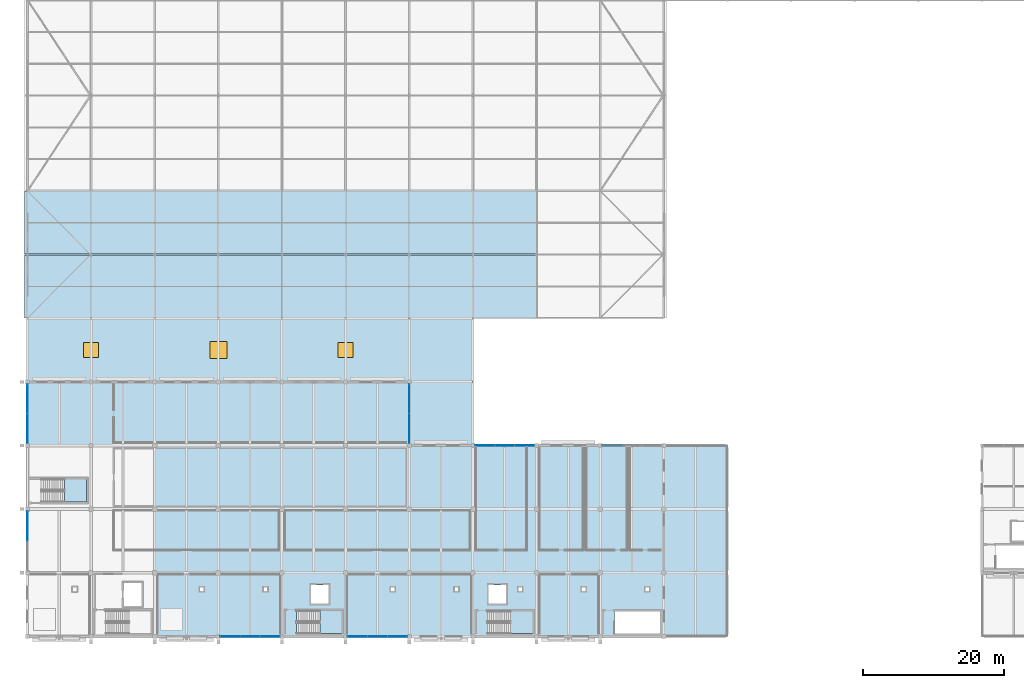
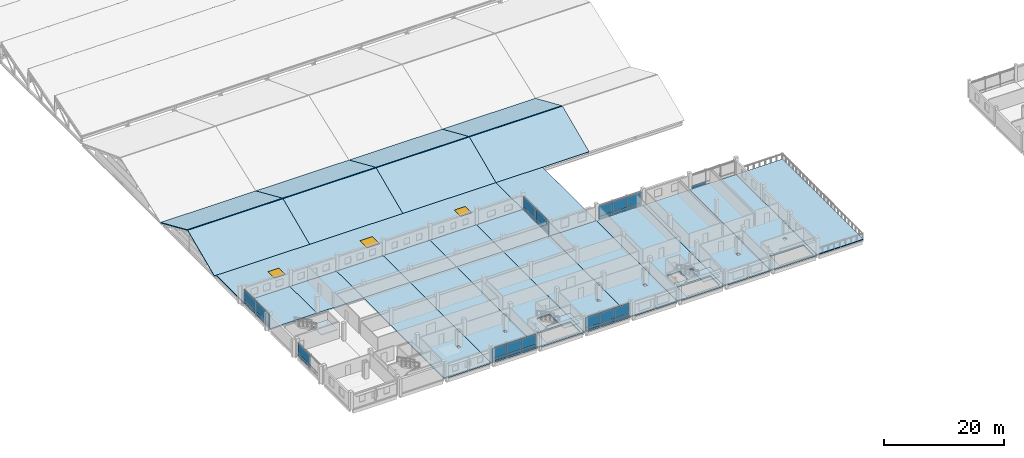
# One storey, part 108 of 163: 29 plates, 28 slabs, 3 windows, 3 openings, 10 elements without a shape of their own.
"""IFC4 building model written with IfcOpenShell, lengths in metres."""

from ifc_helpers import new_model, si_unit, direction, frame, origin, origin_2d, place, context, subcontext, project, spatial, polyline, rectangle, outline, extrude, material, layer, layer_set, type_object, element, fill, aggregate, save


model = new_model("IFC4")

# Units and contexts
model_context = context("Model", 3, precision=1e-05, world=origin(), true_north=direction((0.0, 1.0)))
body_context = subcontext(model_context, "Body", "Model", "MODEL_VIEW")
ifc_project = project(units=[si_unit("LENGTHUNIT", "METRE"), si_unit("AREAUNIT", "SQUARE_METRE"), si_unit("VOLUMEUNIT", "CUBIC_METRE"), si_unit("PLANEANGLEUNIT", "RADIAN"), si_unit("MASSUNIT", "GRAM", prefix="KILO")], contexts=[model_context])

# Site, building, storey
site_placement = place(None, origin())
site = spatial("IfcSite", under=ifc_project, at=site_placement, CompositionType="ELEMENT")
building_placement = place(site_placement, origin())
building = spatial("IfcBuilding", under=site, at=building_placement, Name="Tharagai Park Tramway Depot", CompositionType="ELEMENT")
storey_placement = place(building_placement, frame((0.0, 0.0, 8.39990234375)))
storey = spatial("IfcBuildingStorey", under=building, at=storey_placement, Name="L02", CompositionType="ELEMENT", Elevation=8.39990234375)

# Curtain wall, plates
ifc_material_1 = material(Name="Anodised aluminium", Category="aluminium")
curtain_wall_type_1 = type_object("IfcCurtainWallType", Name="CW-02", PredefinedType="NOTDEFINED", material=ifc_material_1)
curtain_wall_1_placement = place(storey_placement, origin())
curtain_wall_1 = element("IfcCurtainWall", 1, at=curtain_wall_1_placement, inside=storey, type_object=curtain_wall_type_1, Name="L02 V4 Gothic Mullioned Curtain Wall CW-02", PredefinedType="NOTDEFINED")
ifc_layer_1 = layer(ifc_material_1, 0.0400390625)
ifc_layer_set_1 = layer_set([ifc_layer_1], Name="Anodised aluminium")
plate_type_1 = type_object("IfcPlateType", Name="CP-01", PredefinedType="CURTAIN_PANEL", material=ifc_layer_set_1)
plate_1_placement = place(storey_placement, frame((28.693359375, 0.0, 0.080078125), z_axis=(0.0, 0.0, 1.0), x_axis=(1.0, 0.0, 0.0)))
plate_1 = element("IfcPlate", 2, at=plate_1_placement, type_object=plate_type_1, Name="L02 V4 Gothic Mullioned Curtain Wall Spandrel Panel 1.1", PredefinedType="CURTAIN_PANEL", context=body_context, shape_type="SweptSolid", body=[
    extrude(rectangle(XDim=2.78662109375, YDim=0.0400390625, at=origin_2d()), origin(), (0.0, 0.0, 1.0), 0.550048828125),
])
plate_2_placement = place(storey_placement, frame((31.5, 0.0, 0.080078125), z_axis=(0.0, 0.0, 1.0), x_axis=(1.0, 0.0, 0.0)))
plate_2 = element("IfcPlate", 3, at=plate_2_placement, type_object=plate_type_1, Name="L02 V4 Gothic Mullioned Curtain Wall Spandrel Panel 2.1", PredefinedType="CURTAIN_PANEL", context=body_context, shape_type="SweptSolid", body=[
    extrude(rectangle(XDim=2.78662109375, YDim=0.0400390625, at=origin_2d()), origin(), (0.0, 0.0, 1.0), 0.550048828125),
])
plate_3_placement = place(storey_placement, frame((34.306640625, 0.0, 0.080078125), z_axis=(0.0, 0.0, 1.0), x_axis=(1.0, 0.0, 0.0)))
plate_3 = element("IfcPlate", 4, at=plate_3_placement, type_object=plate_type_1, Name="L02 V4 Gothic Mullioned Curtain Wall Spandrel Panel 3.1", PredefinedType="CURTAIN_PANEL", context=body_context, shape_type="SweptSolid", body=[
    extrude(rectangle(XDim=2.78662109375, YDim=0.0400390625, at=origin_2d()), origin(), (0.0, 0.0, 1.0), 0.550048828125),
])

curtain_wall_2_placement = place(storey_placement, origin())
curtain_wall_2 = element("IfcCurtainWall", 5, at=curtain_wall_2_placement, inside=storey, type_object=curtain_wall_type_1, Name="L02 V4 Gothic Mullioned Curtain Wall CW-02", PredefinedType="NOTDEFINED")
plate_4_placement = place(storey_placement, frame((46.693359375, 0.0, 0.080078125), z_axis=(0.0, 0.0, 1.0), x_axis=(1.0, 0.0, 0.0)))
plate_4 = element("IfcPlate", 6, at=plate_4_placement, type_object=plate_type_1, Name="L02 V4 Gothic Mullioned Curtain Wall Spandrel Panel 1.1", PredefinedType="CURTAIN_PANEL", context=body_context, shape_type="SweptSolid", body=[
    extrude(rectangle(XDim=2.78662109375, YDim=0.0400390625, at=origin_2d()), origin(), (0.0, 0.0, 1.0), 0.550048828125),
])
plate_5_placement = place(storey_placement, frame((49.5, 0.0, 0.080078125), z_axis=(0.0, 0.0, 1.0), x_axis=(1.0, 0.0, 0.0)))
plate_5 = element("IfcPlate", 7, at=plate_5_placement, type_object=plate_type_1, Name="L02 V4 Gothic Mullioned Curtain Wall Spandrel Panel 2.1", PredefinedType="CURTAIN_PANEL", context=body_context, shape_type="SweptSolid", body=[
    extrude(rectangle(XDim=2.78662109375, YDim=0.0400390625, at=origin_2d()), origin(), (0.0, 0.0, 1.0), 0.550048828125),
])
plate_6_placement = place(storey_placement, frame((52.306640625, 0.0, 0.080078125), z_axis=(0.0, 0.0, 1.0), x_axis=(1.0, 0.0, 0.0)))
plate_6 = element("IfcPlate", 8, at=plate_6_placement, type_object=plate_type_1, Name="L02 V4 Gothic Mullioned Curtain Wall Spandrel Panel 3.1", PredefinedType="CURTAIN_PANEL", context=body_context, shape_type="SweptSolid", body=[
    extrude(rectangle(XDim=2.78662109375, YDim=0.0400390625, at=origin_2d()), origin(), (0.0, 0.0, 1.0), 0.550048828125),
])

curtain_wall_3_placement = place(storey_placement, origin())
curtain_wall_3 = element("IfcCurtainWall", 9, at=curtain_wall_3_placement, inside=storey, type_object=curtain_wall_type_1, Name="L02 V4 Gothic Mullioned Curtain Wall CW-02", PredefinedType="NOTDEFINED")
plate_7_placement = place(storey_placement, frame((64.693359375, 27.0, 0.080078125), z_axis=(0.0, 0.0, 1.0), x_axis=(1.0, 0.0, 0.0)))
plate_7 = element("IfcPlate", 10, at=plate_7_placement, type_object=plate_type_1, Name="L02 V4 Gothic Mullioned Curtain Wall Spandrel Panel 1.1", PredefinedType="CURTAIN_PANEL", context=body_context, shape_type="SweptSolid", body=[
    extrude(rectangle(XDim=2.78662109375, YDim=0.0400390625, at=origin_2d()), origin(), (0.0, 0.0, 1.0), 0.550048828125),
])
plate_8_placement = place(storey_placement, frame((67.5, 27.0, 0.080078125), z_axis=(0.0, 0.0, 1.0), x_axis=(1.0, 0.0, 0.0)))
plate_8 = element("IfcPlate", 11, at=plate_8_placement, type_object=plate_type_1, Name="L02 V4 Gothic Mullioned Curtain Wall Spandrel Panel 2.1", PredefinedType="CURTAIN_PANEL", context=body_context, shape_type="SweptSolid", body=[
    extrude(rectangle(XDim=2.78662109375, YDim=0.0400390625, at=origin_2d()), origin(), (0.0, 0.0, 1.0), 0.550048828125),
])
plate_9_placement = place(storey_placement, frame((70.306640625, 27.0, 0.080078125), z_axis=(0.0, 0.0, 1.0), x_axis=(1.0, 0.0, 0.0)))
plate_9 = element("IfcPlate", 12, at=plate_9_placement, type_object=plate_type_1, Name="L02 V4 Gothic Mullioned Curtain Wall Spandrel Panel 3.1", PredefinedType="CURTAIN_PANEL", context=body_context, shape_type="SweptSolid", body=[
    extrude(rectangle(XDim=2.78662109375, YDim=0.0400390625, at=origin_2d()), origin(), (0.0, 0.0, 1.0), 0.550048828125),
])

# Curtain wall, plate
curtain_wall_4_placement = place(storey_placement, origin())
curtain_wall_4 = element("IfcCurtainWall", 13, at=curtain_wall_4_placement, inside=storey, type_object=curtain_wall_type_1, Name="L02 V4 Gothic Mullioned Curtain Wall CW-02", PredefinedType="NOTDEFINED")
plate_10_placement = place(storey_placement, frame((82.693359375, 27.0, 0.080078125), z_axis=(0.0, 0.0, 1.0), x_axis=(1.0, 0.0, 0.0)))
plate_10 = element("IfcPlate", 14, at=plate_10_placement, type_object=plate_type_1, Name="L02 V4 Gothic Mullioned Curtain Wall Spandrel Panel 1.1", PredefinedType="CURTAIN_PANEL", context=body_context, shape_type="SweptSolid", body=[
    extrude(rectangle(XDim=2.78662109375, YDim=0.0400390625, at=origin_2d()), origin(), (0.0, 0.0, 1.0), 0.550048828125),
])
aggregate(curtain_wall_4, [plate_10])

curtain_wall_type_2 = type_object("IfcCurtainWallType", Name="CW-07", PredefinedType="NOTDEFINED", material=ifc_material_1)
curtain_wall_5_placement = place(storey_placement, origin())
curtain_wall_5 = element("IfcCurtainWall", 15, at=curtain_wall_5_placement, inside=storey, type_object=curtain_wall_type_2, Name="L02 V4 Side Mullioned Curtain Wall CW-07", PredefinedType="NOTDEFINED")
plate_11_placement = place(storey_placement, frame((0.0, 15.60498046875, 0.080078125), z_axis=(0.0, 0.0, 1.0), x_axis=(0.0, 1.0, 0.0)))
plate_11 = element("IfcPlate", 16, at=plate_11_placement, type_object=plate_type_1, Name="L02 V4 Side Mullioned Curtain Wall Spandrel Panel 2.1", PredefinedType="CURTAIN_PANEL", context=body_context, shape_type="SweptSolid", body=[
    extrude(rectangle(XDim=4.18994140625, YDim=0.0400390625, at=origin_2d()), origin(), (0.0, 0.0, 1.0), 0.550048828125),
])

# Curtain wall, plates
curtain_wall_6_placement = place(storey_placement, origin())
curtain_wall_6 = element("IfcCurtainWall", 17, at=curtain_wall_6_placement, inside=storey, type_object=curtain_wall_type_2, Name="L02 V4 Side Mullioned Curtain Wall CW-07", PredefinedType="NOTDEFINED")
plate_12_placement = place(storey_placement, frame((0.0, 29.39501953125, 0.080078125), z_axis=(0.0, 0.0, 1.0), x_axis=(0.0, 1.0, 0.0)))
plate_12 = element("IfcPlate", 18, at=plate_12_placement, type_object=plate_type_1, Name="L02 V4 Side Mullioned Curtain Wall Spandrel Panel 1.1", PredefinedType="CURTAIN_PANEL", context=body_context, shape_type="SweptSolid", body=[
    extrude(rectangle(XDim=4.18994140625, YDim=0.0400390625, at=origin_2d()), origin(), (0.0, 0.0, 1.0), 0.550048828125),
])
plate_13_placement = place(storey_placement, frame((0.0, 33.60498046875, 0.080078125), z_axis=(0.0, 0.0, 1.0), x_axis=(0.0, 1.0, 0.0)))
plate_13 = element("IfcPlate", 19, at=plate_13_placement, type_object=plate_type_1, Name="L02 V4 Side Mullioned Curtain Wall Spandrel Panel 2.1", PredefinedType="CURTAIN_PANEL", context=body_context, shape_type="SweptSolid", body=[
    extrude(rectangle(XDim=4.18994140625, YDim=0.0400390625, at=origin_2d()), origin(), (0.0, 0.0, 1.0), 0.550048828125),
])

curtain_wall_7_placement = place(storey_placement, origin())
curtain_wall_7 = element("IfcCurtainWall", 20, at=curtain_wall_7_placement, inside=storey, type_object=curtain_wall_type_2, Name="L02 V4 Side Mullioned Curtain Wall CW-07", PredefinedType="NOTDEFINED")
plate_14_placement = place(storey_placement, frame((54.0, 29.39501953125, 0.080078125), z_axis=(0.0, 0.0, 1.0), x_axis=(0.0, 1.0, 0.0)))
plate_14 = element("IfcPlate", 21, at=plate_14_placement, type_object=plate_type_1, Name="L02 V4 Side Mullioned Curtain Wall Spandrel Panel 1.1", PredefinedType="CURTAIN_PANEL", context=body_context, shape_type="SweptSolid", body=[
    extrude(rectangle(XDim=4.18994140625, YDim=0.0400390625, at=origin_2d()), origin(), (0.0, 0.0, 1.0), 0.550048828125),
])
plate_15_placement = place(storey_placement, frame((54.0, 33.60498046875, 0.080078125), z_axis=(0.0, 0.0, 1.0), x_axis=(0.0, 1.0, 0.0)))
plate_15 = element("IfcPlate", 22, at=plate_15_placement, type_object=plate_type_1, Name="L02 V4 Side Mullioned Curtain Wall Spandrel Panel 2.1", PredefinedType="CURTAIN_PANEL", context=body_context, shape_type="SweptSolid", body=[
    extrude(rectangle(XDim=4.18994140625, YDim=0.0400390625, at=origin_2d()), origin(), (0.0, 0.0, 1.0), 0.550048828125),
])

# Plate
ifc_material_2 = material(Name="Laminated solar-control glass", Category="glass")
ifc_layer_2 = layer(ifc_material_2, 0.028076171875)
ifc_layer_set_2 = layer_set([ifc_layer_2], Name="Laminated solar-control glass")
plate_type_2 = type_object("IfcPlateType", Name="CP-02", PredefinedType="CURTAIN_PANEL", material=ifc_layer_set_2)
plate_16_placement = place(storey_placement, frame((28.693359375, 0.0, 0.670166015625), z_axis=(0.0, 0.0, 1.0), x_axis=(1.0, 0.0, 0.0)))
plate_16 = element("IfcPlate", 23, at=plate_16_placement, type_object=plate_type_2, Name="L02 V4 Gothic Mullioned Curtain Wall Glazed Panel 1.2", PredefinedType="CURTAIN_PANEL", context=body_context, shape_type="SweptSolid", body=[
    extrude(rectangle(XDim=2.78662109375, YDim=0.028076171875, at=origin_2d()), origin(), (0.0, 0.0, 1.0), 2.10009765625),
])

plate_17_placement = place(storey_placement, frame((31.5, 0.0, 0.670166015625), z_axis=(0.0, 0.0, 1.0), x_axis=(1.0, 0.0, 0.0)))
plate_17 = element("IfcPlate", 24, at=plate_17_placement, type_object=plate_type_2, Name="L02 V4 Gothic Mullioned Curtain Wall Glazed Panel 2.2", PredefinedType="CURTAIN_PANEL", context=body_context, shape_type="SweptSolid", body=[
    extrude(rectangle(XDim=2.78662109375, YDim=0.028076171875, at=origin_2d()), origin(), (0.0, 0.0, 1.0), 2.10009765625),
])

plate_18_placement = place(storey_placement, frame((34.306640625, 0.0, 0.670166015625), z_axis=(0.0, 0.0, 1.0), x_axis=(1.0, 0.0, 0.0)))
plate_18 = element("IfcPlate", 25, at=plate_18_placement, type_object=plate_type_2, Name="L02 V4 Gothic Mullioned Curtain Wall Glazed Panel 3.2", PredefinedType="CURTAIN_PANEL", context=body_context, shape_type="SweptSolid", body=[
    extrude(rectangle(XDim=2.78662109375, YDim=0.028076171875, at=origin_2d()), origin(), (0.0, 0.0, 1.0), 2.10009765625),
])

aggregate(curtain_wall_1, [plate_1, plate_16, plate_2, plate_17, plate_3, plate_18])

plate_19_placement = place(storey_placement, frame((46.693359375, 0.0, 0.670166015625), z_axis=(0.0, 0.0, 1.0), x_axis=(1.0, 0.0, 0.0)))
plate_19 = element("IfcPlate", 26, at=plate_19_placement, type_object=plate_type_2, Name="L02 V4 Gothic Mullioned Curtain Wall Glazed Panel 1.2", PredefinedType="CURTAIN_PANEL", context=body_context, shape_type="SweptSolid", body=[
    extrude(rectangle(XDim=2.78662109375, YDim=0.028076171875, at=origin_2d()), origin(), (0.0, 0.0, 1.0), 2.10009765625),
])

plate_20_placement = place(storey_placement, frame((49.5, 0.0, 0.670166015625), z_axis=(0.0, 0.0, 1.0), x_axis=(1.0, 0.0, 0.0)))
plate_20 = element("IfcPlate", 27, at=plate_20_placement, type_object=plate_type_2, Name="L02 V4 Gothic Mullioned Curtain Wall Glazed Panel 2.2", PredefinedType="CURTAIN_PANEL", context=body_context, shape_type="SweptSolid", body=[
    extrude(rectangle(XDim=2.78662109375, YDim=0.028076171875, at=origin_2d()), origin(), (0.0, 0.0, 1.0), 2.10009765625),
])

plate_21_placement = place(storey_placement, frame((52.306640625, 0.0, 0.670166015625), z_axis=(0.0, 0.0, 1.0), x_axis=(1.0, 0.0, 0.0)))
plate_21 = element("IfcPlate", 28, at=plate_21_placement, type_object=plate_type_2, Name="L02 V4 Gothic Mullioned Curtain Wall Glazed Panel 3.2", PredefinedType="CURTAIN_PANEL", context=body_context, shape_type="SweptSolid", body=[
    extrude(rectangle(XDim=2.78662109375, YDim=0.028076171875, at=origin_2d()), origin(), (0.0, 0.0, 1.0), 2.10009765625),
])

aggregate(curtain_wall_2, [plate_4, plate_19, plate_5, plate_20, plate_6, plate_21])

plate_22_placement = place(storey_placement, frame((64.693359375, 27.0, 0.669921875), z_axis=(0.0, 0.0, 1.0), x_axis=(1.0, 0.0, 0.0)))
plate_22 = element("IfcPlate", 29, at=plate_22_placement, type_object=plate_type_2, Name="L02 V4 Gothic Mullioned Curtain Wall Glazed Panel 1.2", PredefinedType="CURTAIN_PANEL", context=body_context, shape_type="SweptSolid", body=[
    extrude(rectangle(XDim=2.78662109375, YDim=0.028076171875, at=origin_2d()), origin(), (0.0, 0.0, 1.0), 2.139892578125),
])

plate_23_placement = place(storey_placement, frame((67.5, 27.0, 0.669921875), z_axis=(0.0, 0.0, 1.0), x_axis=(1.0, 0.0, 0.0)))
plate_23 = element("IfcPlate", 30, at=plate_23_placement, type_object=plate_type_2, Name="L02 V4 Gothic Mullioned Curtain Wall Glazed Panel 2.2", PredefinedType="CURTAIN_PANEL", context=body_context, shape_type="SweptSolid", body=[
    extrude(rectangle(XDim=2.78662109375, YDim=0.028076171875, at=origin_2d()), origin(), (0.0, 0.0, 1.0), 2.139892578125),
])

plate_24_placement = place(storey_placement, frame((70.306640625, 27.0, 0.669921875), z_axis=(0.0, 0.0, 1.0), x_axis=(1.0, 0.0, 0.0)))
plate_24 = element("IfcPlate", 31, at=plate_24_placement, type_object=plate_type_2, Name="L02 V4 Gothic Mullioned Curtain Wall Glazed Panel 3.2", PredefinedType="CURTAIN_PANEL", context=body_context, shape_type="SweptSolid", body=[
    extrude(rectangle(XDim=2.78662109375, YDim=0.028076171875, at=origin_2d()), origin(), (0.0, 0.0, 1.0), 2.139892578125),
])

aggregate(curtain_wall_3, [plate_7, plate_22, plate_8, plate_23, plate_9, plate_24])

plate_25_placement = place(storey_placement, frame((0.0, 15.60498046875, 0.670166015625), z_axis=(0.0, 0.0, 1.0), x_axis=(0.0, 1.0, 0.0)))
plate_25 = element("IfcPlate", 32, at=plate_25_placement, type_object=plate_type_2, Name="L02 V4 Side Mullioned Curtain Wall Glazed Panel 2.2", PredefinedType="CURTAIN_PANEL", context=body_context, shape_type="SweptSolid", body=[
    extrude(rectangle(XDim=4.18994140625, YDim=0.028076171875, at=origin_2d()), origin(), (0.0, 0.0, 1.0), 2.080078125),
])

aggregate(curtain_wall_5, [plate_11, plate_25])

plate_26_placement = place(storey_placement, frame((0.0, 29.39501953125, 0.670166015625), z_axis=(0.0, 0.0, 1.0), x_axis=(0.0, 1.0, 0.0)))
plate_26 = element("IfcPlate", 33, at=plate_26_placement, type_object=plate_type_2, Name="L02 V4 Side Mullioned Curtain Wall Glazed Panel 1.2", PredefinedType="CURTAIN_PANEL", context=body_context, shape_type="SweptSolid", body=[
    extrude(rectangle(XDim=4.18994140625, YDim=0.028076171875, at=origin_2d()), origin(), (0.0, 0.0, 1.0), 2.080078125),
])

plate_27_placement = place(storey_placement, frame((0.0, 33.60498046875, 0.670166015625), z_axis=(0.0, 0.0, 1.0), x_axis=(0.0, 1.0, 0.0)))
plate_27 = element("IfcPlate", 34, at=plate_27_placement, type_object=plate_type_2, Name="L02 V4 Side Mullioned Curtain Wall Glazed Panel 2.2", PredefinedType="CURTAIN_PANEL", context=body_context, shape_type="SweptSolid", body=[
    extrude(rectangle(XDim=4.18994140625, YDim=0.028076171875, at=origin_2d()), origin(), (0.0, 0.0, 1.0), 2.080078125),
])

aggregate(curtain_wall_6, [plate_12, plate_26, plate_13, plate_27])

plate_28_placement = place(storey_placement, frame((54.0, 29.39501953125, 0.669921875), z_axis=(0.0, 0.0, 1.0), x_axis=(0.0, 1.0, 0.0)))
plate_28 = element("IfcPlate", 35, at=plate_28_placement, type_object=plate_type_2, Name="L02 V4 Side Mullioned Curtain Wall Glazed Panel 1.2", PredefinedType="CURTAIN_PANEL", context=body_context, shape_type="SweptSolid", body=[
    extrude(rectangle(XDim=4.18994140625, YDim=0.028076171875, at=origin_2d()), origin(), (0.0, 0.0, 1.0), 2.139892578125),
])

plate_29_placement = place(storey_placement, frame((54.0, 33.60498046875, 0.669921875), z_axis=(0.0, 0.0, 1.0), x_axis=(0.0, 1.0, 0.0)))
plate_29 = element("IfcPlate", 36, at=plate_29_placement, type_object=plate_type_2, Name="L02 V4 Side Mullioned Curtain Wall Glazed Panel 2.2", PredefinedType="CURTAIN_PANEL", context=body_context, shape_type="SweptSolid", body=[
    extrude(rectangle(XDim=4.18994140625, YDim=0.028076171875, at=origin_2d()), origin(), (0.0, 0.0, 1.0), 2.139892578125),
])

aggregate(curtain_wall_7, [plate_14, plate_28, plate_15, plate_29])

# Stair, slab
ifc_material_3 = material(Name="Concrete M35", Category="concrete")
stair_type = type_object("IfcStairType", Name="STT-02", PredefinedType="HALF_TURN_STAIR", material=ifc_material_3)
stair_1_placement = place(storey_placement, origin())
stair_1 = element("IfcStair", 37, at=stair_1_placement, inside=storey, type_object=stair_type, Name="L02 Protected Exit Stair ST-02", PredefinedType="HALF_TURN_STAIR")
ifc_layer_3 = layer(ifc_material_3, 0.199951171875)
ifc_layer_set_3 = layer_set([ifc_layer_3], Name="Concrete M35")
slab_type_1 = type_object("IfcSlabType", Name="LN-01", PredefinedType="LANDING", material=ifc_layer_set_3)
slab_1_placement = place(storey_placement, frame((0.0, 0.0, 1.60009765625)))
slab_1 = element("IfcSlab", 38, at=slab_1_placement, type_object=slab_type_1, Name="ST-02 landing 1", PredefinedType="LANDING", context=body_context, shape_type="SweptSolid", body=[
    extrude(outline(polyline([(41.3701171875, 0.39990234375), (44.47998046875, 0.39990234375), (44.47998046875, 3.64990234375), (41.3701171875, 3.64990234375), (41.3701171875, 0.39990234375)])), origin(), (0.0, 0.0, 1.0), 0.199951171875),
])
aggregate(stair_1, [slab_1])

stair_2_placement = place(storey_placement, origin())
stair_2 = element("IfcStair", 39, at=stair_2_placement, inside=storey, type_object=stair_type, Name="L02 Protected Exit Stair ST-03", PredefinedType="HALF_TURN_STAIR")
slab_2_placement = place(storey_placement, frame((0.0, 0.0, 1.60009765625)))
slab_2 = element("IfcSlab", 40, at=slab_2_placement, type_object=slab_type_1, Name="ST-03 landing 1", PredefinedType="LANDING", context=body_context, shape_type="SweptSolid", body=[
    extrude(outline(polyline([(5.25, 19.0), (8.360107421875, 19.0), (8.360107421875, 22.25), (5.25, 22.25), (5.25, 19.0)])), origin(), (0.0, 0.0, 1.0), 0.199951171875),
])
aggregate(stair_2, [slab_2])

stair_3_placement = place(storey_placement, origin())
stair_3 = element("IfcStair", 41, at=stair_3_placement, inside=storey, type_object=stair_type, Name="L02 Protected Exit Stair ST-04", PredefinedType="HALF_TURN_STAIR")
slab_3_placement = place(storey_placement, frame((0.0, 0.0, 1.60009765625)))
slab_3 = element("IfcSlab", 42, at=slab_3_placement, type_object=slab_type_1, Name="ST-04 landing 1", PredefinedType="LANDING", context=body_context, shape_type="SweptSolid", body=[
    extrude(outline(polyline([(68.340087890625, 0.39990234375), (71.47998046875, 0.39990234375), (71.47998046875, 3.590087890625), (68.340087890625, 3.590087890625), (68.340087890625, 0.39990234375)])), origin(), (0.0, 0.0, 1.0), 0.199951171875),
])
aggregate(stair_3, [slab_3])

# Slabs
ifc_layer_4 = layer(ifc_material_3, 0.169921875)
ifc_layer_set_4 = layer_set([ifc_layer_4], Name="Concrete M35")
slab_type_2 = type_object("IfcSlabType", Name="RS-02", PredefinedType="ROOF", material=ifc_layer_set_4)
for number, where, z_axis, x_axis, name in (
    (43, (-0.39990234375, 45.0, 0.0), (0.0, -0.402133189266, 0.915581180503), (1.0, 0.0, 0.0), "V2A South Pitched Roof Slab 1"),
    (44, (18.0, 63.0, 0.0), (0.0, 0.402133189266, 0.915581180503), (-1.0, 0.0, 0.0), "V2A North Pitched Roof Slab 1"),
):
    element("IfcSlab", number, at=place(storey_placement, frame(where, z_axis=z_axis, x_axis=x_axis)), inside=storey, type_object=slab_type_2, Name=name, PredefinedType="ROOF", context=body_context, shape_type="SweptSolid", body=[
        extrude(outline(polyline([(0.0, 0.0), (18.39990234375, 0.0), (18.39990234375, 9.731427752244018), (0.0, 9.731427752244018), (0.0, 0.0)])), origin(), (0.0, 0.0, -1.0), 0.169921875),
    ])
for number, where, z_axis, x_axis, name in (
    (45, (18.0, 45.0, 0.0), (0.0, -0.402133189266, 0.915581180503), (1.0, 0.0, 0.0), "V2A South Pitched Roof Slab 2"),
    (46, (36.0, 63.0, 0.0), (0.0, 0.402133189266, 0.915581180503), (-1.0, 0.0, 0.0), "V2A North Pitched Roof Slab 2"),
    (47, (36.0, 45.0, 0.0), (0.0, -0.402133189266, 0.915581180503), (1.0, 0.0, 0.0), "V2A South Pitched Roof Slab 3"),
    (48, (54.0, 63.0, 0.0), (0.0, 0.402133189266, 0.915581180503), (-1.0, 0.0, 0.0), "V2A North Pitched Roof Slab 3"),
    (49, (54.0, 45.0, 0.0), (0.0, -0.402133189266, 0.915581180503), (1.0, 0.0, 0.0), "V2A South Pitched Roof Slab 4"),
    (50, (72.0, 63.0, 0.0), (0.0, 0.402133189266, 0.915581180503), (-1.0, 0.0, 0.0), "V2A North Pitched Roof Slab 4"),
):
    element("IfcSlab", number, at=place(storey_placement, frame(where, z_axis=z_axis, x_axis=x_axis)), inside=storey, type_object=slab_type_2, Name=name, PredefinedType="ROOF", context=body_context, shape_type="SweptSolid", body=[
        extrude(outline(polyline([(0.0, 0.0), (18.0, 0.0), (18.0, 9.731427752244018), (0.0, 9.731427752244018), (0.0, 0.0)])), origin(), (0.0, 0.0, -1.0), 0.169921875),
    ])

# Slab, openings, windows
ifc_layer_5 = layer(ifc_material_3, 0.239990234375)
ifc_layer_set_5 = layer_set([ifc_layer_5], Name="Concrete M35")
slab_type_3 = type_object("IfcSlabType", Name="RS-03", PredefinedType="ROOF", material=ifc_layer_set_5)
slab_4_placement = place(storey_placement, frame((0.0, 0.0, -0.239990234375)))
slab_4 = element("IfcSlab", 51, at=slab_4_placement, inside=storey, type_object=slab_type_3, Name="L02 V4 Flat Roof Slab", PredefinedType="ROOF", context=body_context, shape_type="SweptSolid", body=[
    extrude(outline(polyline([(0.0, 36.0), (54.0, 36.0), (54.0, 45.0), (0.0, 45.0), (0.0, 36.0)])), origin(), (0.0, 0.0, 1.0), 0.239990234375),
])
opening_1_placement = place(slab_4_placement, frame((9.0, 40.5, -0.010009765625)))
opening_1 = element("IfcOpeningElement", 52, at=opening_1_placement, cuts=slab_4, Name="Opening SK-01", PredefinedType="OPENING", context=body_context, shape_type="SweptSolid", body=[
    extrude(rectangle(XDim=2.10009765625, YDim=2.10009765625, at=origin_2d()), origin(), (0.0, 0.0, 1.0), 0.260009765625),
])
opening_2_placement = place(slab_4_placement, frame((27.0, 40.5, -0.010009765625)))
opening_2 = element("IfcOpeningElement", 53, at=opening_2_placement, cuts=slab_4, Name="Opening SK-03", PredefinedType="OPENING", context=body_context, shape_type="SweptSolid", body=[
    extrude(rectangle(XDim=2.39990234375, YDim=2.39990234375, at=origin_2d()), origin(), (0.0, 0.0, 1.0), 0.260009765625),
])
opening_3_placement = place(slab_4_placement, frame((45.0, 40.5, -0.010009765625)))
opening_3 = element("IfcOpeningElement", 54, at=opening_3_placement, cuts=slab_4, Name="Opening SK-01", PredefinedType="OPENING", context=body_context, shape_type="SweptSolid", body=[
    extrude(rectangle(XDim=2.10009765625, YDim=2.10009765625, at=origin_2d()), origin(), (0.0, 0.0, 1.0), 0.260009765625),
])
window_type_1 = type_object("IfcWindowType", Name="SK-01", PartitioningType="SINGLE_PANEL", PredefinedType="SKYLIGHT", material=ifc_material_2)
window_1_placement = place(opening_1_placement, frame((0.0, 0.0, 0.199951171875)))
window_1 = element("IfcWindow", 55, at=window_1_placement, inside=storey, type_object=window_type_1, Name="Roof Skylight SK-01 #4", OverallHeight=2.10009765625, OverallWidth=2.10009765625, PartitioningType="SINGLE_PANEL", PredefinedType="SKYLIGHT", context=body_context, shape_type="SweptSolid", body=[
    extrude(rectangle(XDim=2.10009765625, YDim=2.10009765625, at=origin_2d()), origin(), (0.0, 0.0, 1.0), 0.050048828125),
])
fill(opening_1, window_1)
window_2_placement = place(opening_3_placement, frame((0.0, 0.0, 0.199951171875)))
window_2 = element("IfcWindow", 56, at=window_2_placement, inside=storey, type_object=window_type_1, Name="Roof Skylight SK-01 #6", OverallHeight=2.10009765625, OverallWidth=2.10009765625, PartitioningType="SINGLE_PANEL", PredefinedType="SKYLIGHT", context=body_context, shape_type="SweptSolid", body=[
    extrude(rectangle(XDim=2.10009765625, YDim=2.10009765625, at=origin_2d()), origin(), (0.0, 0.0, 1.0), 0.050048828125),
])
fill(opening_3, window_2)
window_type_2 = type_object("IfcWindowType", Name="SK-03", PartitioningType="SINGLE_PANEL", PredefinedType="SKYLIGHT", material=ifc_material_2)
window_3_placement = place(opening_2_placement, frame((0.0, 0.0, 0.199951171875)))
window_3 = element("IfcWindow", 57, at=window_3_placement, inside=storey, type_object=window_type_2, Name="Roof Skylight SK-03 #5", OverallHeight=2.39990234375, OverallWidth=2.39990234375, PartitioningType="SINGLE_PANEL", PredefinedType="SKYLIGHT", context=body_context, shape_type="SweptSolid", body=[
    extrude(rectangle(XDim=2.39990234375, YDim=2.39990234375, at=origin_2d()), origin(), (0.0, 0.0, 1.0), 0.050048828125),
])
fill(opening_2, window_3)

# Slabs
slab_5_placement = place(storey_placement, frame((0.0, 0.0, -0.239990234375)))
element("IfcSlab", 58, at=slab_5_placement, inside=storey, type_object=slab_type_3, Name="L02 V4 Flat Roof Slab", PredefinedType="ROOF", context=body_context, shape_type="SweptSolid", body=[
    extrude(outline(polyline([(54.0, 27.0), (63.0, 27.0), (63.0, 45.0), (54.0, 45.0), (54.0, 27.0)])), origin(), (0.0, 0.0, 1.0), 0.239990234375),
])
ifc_layer_6 = layer(ifc_material_3, 0.25)
ifc_layer_set_6 = layer_set([ifc_layer_6], Name="Concrete M35")
slab_type_4 = type_object("IfcSlabType", Name="SB-03", PredefinedType="FLOOR", material=ifc_layer_set_6)
slab_6_placement = place(storey_placement, frame((0.0, 0.0, -0.25)))
element("IfcSlab", 59, at=slab_6_placement, inside=storey, type_object=slab_type_4, Name="L02 V4 Suspended Floor Slab Bay 3", PredefinedType="FLOOR", context=body_context, shape_type="SweptSolid", body=[
    extrude(outline(polyline([(18.0, 0.0), (27.0, 0.0), (27.0, 27.0), (18.0, 27.0), (18.0, 0.0)]), holes=[polyline([(24.39990234375, 6.39990234375), (24.949951171875, 6.39990234375), (24.949951171875, 6.949951171875), (24.39990234375, 6.949951171875), (24.39990234375, 6.39990234375)])]), origin(), (0.0, 0.0, 1.0), 0.25),
])
slab_7_placement = place(storey_placement, frame((0.0, 0.0, -0.25)))
element("IfcSlab", 60, at=slab_7_placement, inside=storey, type_object=slab_type_4, Name="L02 V4 Suspended Floor Slab Bay 4", PredefinedType="FLOOR", context=body_context, shape_type="SweptSolid", body=[
    extrude(outline(polyline([(27.0, 0.0), (36.0, 0.0), (36.0, 27.0), (27.0, 27.0), (27.0, 0.0)]), holes=[polyline([(33.39990234375, 6.39990234375), (33.949951171875, 6.39990234375), (33.949951171875, 6.949951171875), (33.39990234375, 6.949951171875), (33.39990234375, 6.39990234375)])]), origin(), (0.0, 0.0, 1.0), 0.25),
])
slab_8_placement = place(storey_placement, frame((0.0, 0.0, -0.25)))
element("IfcSlab", 61, at=slab_8_placement, inside=storey, type_object=slab_type_4, Name="L02 V4 Suspended Floor Slab Bay 5", PredefinedType="FLOOR", context=body_context, shape_type="SweptSolid", body=[
    extrude(outline(polyline([(36.0, 0.0), (45.0, 0.0), (45.0, 27.0), (36.0, 27.0), (36.0, 0.0)]), holes=[polyline([(38.070068359375, 0.39990234375), (44.47998046875, 0.39990234375), (44.47998046875, 3.64990234375), (38.070068359375, 3.64990234375), (38.070068359375, 0.39990234375)]), polyline([(40.10009765625, 4.60009765625), (42.60009765625, 4.60009765625), (42.60009765625, 7.300048828125), (40.10009765625, 7.300048828125), (40.10009765625, 4.60009765625)])]), origin(), (0.0, 0.0, 1.0), 0.25),
])
slab_9_placement = place(storey_placement, frame((0.0, 0.0, -0.25)))
element("IfcSlab", 62, at=slab_9_placement, inside=storey, type_object=slab_type_4, Name="L02 V4 Suspended Floor Slab Bay 6", PredefinedType="FLOOR", context=body_context, shape_type="SweptSolid", body=[
    extrude(outline(polyline([(45.0, 0.0), (54.0, 0.0), (54.0, 27.0), (45.0, 27.0), (45.0, 0.0)]), holes=[polyline([(51.39990234375, 6.39990234375), (51.949951171875, 6.39990234375), (51.949951171875, 6.949951171875), (51.39990234375, 6.949951171875), (51.39990234375, 6.39990234375)])]), origin(), (0.0, 0.0, 1.0), 0.25),
])
slab_10_placement = place(storey_placement, frame((0.0, 0.0, -0.25)))
element("IfcSlab", 63, at=slab_10_placement, inside=storey, type_object=slab_type_4, Name="L02 V4 Suspended Floor Slab Bay 7", PredefinedType="FLOOR", context=body_context, shape_type="SweptSolid", body=[
    extrude(outline(polyline([(54.0, 0.0), (63.0, 0.0), (63.0, 27.0), (54.0, 27.0), (54.0, 0.0)]), holes=[polyline([(60.39990234375, 6.39990234375), (60.949951171875, 6.39990234375), (60.949951171875, 6.949951171875), (60.39990234375, 6.949951171875), (60.39990234375, 6.39990234375)])]), origin(), (0.0, 0.0, 1.0), 0.25),
])
slab_11_placement = place(storey_placement, frame((0.0, 0.0, -0.25)))
element("IfcSlab", 64, at=slab_11_placement, inside=storey, type_object=slab_type_4, Name="L02 V4 Suspended Floor Slab Bay 8", PredefinedType="FLOOR", context=body_context, shape_type="SweptSolid", body=[
    extrude(outline(polyline([(63.0, 0.0), (72.0, 0.0), (72.0, 27.0), (63.0, 27.0), (63.0, 0.0)]), holes=[polyline([(65.0400390625, 0.39990234375), (71.47998046875, 0.39990234375), (71.47998046875, 3.590087890625), (65.0400390625, 3.590087890625), (65.0400390625, 0.39990234375)]), polyline([(65.199951171875, 4.60009765625), (67.699951171875, 4.60009765625), (67.699951171875, 7.300048828125), (65.199951171875, 7.300048828125), (65.199951171875, 4.60009765625)]), polyline([(69.39990234375, 6.39990234375), (69.949951171875, 6.39990234375), (69.949951171875, 6.949951171875), (69.39990234375, 6.949951171875), (69.39990234375, 6.39990234375)])]), origin(), (0.0, 0.0, 1.0), 0.25),
])
slab_12_placement = place(storey_placement, frame((0.0, 0.0, -0.25)))
element("IfcSlab", 65, at=slab_12_placement, inside=storey, type_object=slab_type_4, Name="L02 V4 Suspended Floor Slab Bay 9", PredefinedType="FLOOR", context=body_context, shape_type="SweptSolid", body=[
    extrude(outline(polyline([(72.0, 0.0), (81.0, 0.0), (81.0, 27.0), (72.0, 27.0), (72.0, 0.0)]), holes=[polyline([(78.39990234375, 6.39990234375), (78.949951171875, 6.39990234375), (78.949951171875, 6.949951171875), (78.39990234375, 6.949951171875), (78.39990234375, 6.39990234375)])]), origin(), (0.0, 0.0, 1.0), 0.25),
])
slab_13_placement = place(storey_placement, frame((0.0, 0.0, -0.25)))
element("IfcSlab", 66, at=slab_13_placement, inside=storey, type_object=slab_type_4, Name="L02 V4 Suspended Floor Slab Bay 10", PredefinedType="FLOOR", context=body_context, shape_type="SweptSolid", body=[
    extrude(outline(polyline([(81.0, 0.0), (90.0, 0.0), (90.0, 27.0), (81.0, 27.0), (81.0, 0.0)]), holes=[polyline([(83.0400390625, 0.39990234375), (89.47998046875, 0.39990234375), (89.47998046875, 3.590087890625), (83.0400390625, 3.590087890625), (83.0400390625, 0.39990234375)]), polyline([(87.39990234375, 6.39990234375), (87.949951171875, 6.39990234375), (87.949951171875, 6.949951171875), (87.39990234375, 6.949951171875), (87.39990234375, 6.39990234375)])]), origin(), (0.0, 0.0, 1.0), 0.25),
])
slab_14_placement = place(storey_placement, frame((0.0, 0.0, -0.25)))
element("IfcSlab", 67, at=slab_14_placement, inside=storey, type_object=slab_type_4, Name="L02 V4 Suspended Floor Slab Bay 1", PredefinedType="FLOOR", context=body_context, shape_type="SweptSolid", body=[
    extrude(outline(polyline([(0.0, 27.0), (9.0, 27.0), (9.0, 36.0), (0.0, 36.0), (0.0, 27.0)])), origin(), (0.0, 0.0, 1.0), 0.25),
])
slab_15_placement = place(storey_placement, frame((0.0, 0.0, -0.25)))
element("IfcSlab", 68, at=slab_15_placement, inside=storey, type_object=slab_type_4, Name="L02 V4 Suspended Floor Slab Bay 2", PredefinedType="FLOOR", context=body_context, shape_type="SweptSolid", body=[
    extrude(outline(polyline([(9.0, 27.0), (18.0, 27.0), (18.0, 36.0), (9.0, 36.0), (9.0, 27.0)])), origin(), (0.0, 0.0, 1.0), 0.25),
])
slab_16_placement = place(storey_placement, frame((0.0, 0.0, -0.25)))
element("IfcSlab", 69, at=slab_16_placement, inside=storey, type_object=slab_type_4, Name="L02 V4 Suspended Floor Slab Bay 3", PredefinedType="FLOOR", context=body_context, shape_type="SweptSolid", body=[
    extrude(outline(polyline([(18.0, 27.0), (27.0, 27.0), (27.0, 36.0), (18.0, 36.0), (18.0, 27.0)])), origin(), (0.0, 0.0, 1.0), 0.25),
])
slab_17_placement = place(storey_placement, frame((0.0, 0.0, -0.25)))
element("IfcSlab", 70, at=slab_17_placement, inside=storey, type_object=slab_type_4, Name="L02 V4 Suspended Floor Slab Bay 4", PredefinedType="FLOOR", context=body_context, shape_type="SweptSolid", body=[
    extrude(outline(polyline([(27.0, 27.0), (36.0, 27.0), (36.0, 36.0), (27.0, 36.0), (27.0, 27.0)])), origin(), (0.0, 0.0, 1.0), 0.25),
])
slab_18_placement = place(storey_placement, frame((0.0, 0.0, -0.25)))
element("IfcSlab", 71, at=slab_18_placement, inside=storey, type_object=slab_type_4, Name="L02 V4 Suspended Floor Slab Bay 5", PredefinedType="FLOOR", context=body_context, shape_type="SweptSolid", body=[
    extrude(outline(polyline([(36.0, 27.0), (45.0, 27.0), (45.0, 36.0), (36.0, 36.0), (36.0, 27.0)])), origin(), (0.0, 0.0, 1.0), 0.25),
])
slab_19_placement = place(storey_placement, frame((0.0, 0.0, -0.25)))
element("IfcSlab", 72, at=slab_19_placement, inside=storey, type_object=slab_type_4, Name="L02 V4 Suspended Floor Slab Bay 6", PredefinedType="FLOOR", context=body_context, shape_type="SweptSolid", body=[
    extrude(outline(polyline([(45.0, 27.0), (54.0, 27.0), (54.0, 36.0), (45.0, 36.0), (45.0, 27.0)])), origin(), (0.0, 0.0, 1.0), 0.25),
])
ifc_layer_7 = layer(ifc_material_3, 0.18994140625)
ifc_layer_set_7 = layer_set([ifc_layer_7], Name="Concrete M35")
slab_type_5 = type_object("IfcSlabType", Name="SB-10", PredefinedType="FLOOR", material=ifc_layer_set_7)
slab_20_placement = place(storey_placement, frame((0.0, 0.0, -0.18994140625)))
element("IfcSlab", 73, at=slab_20_placement, inside=storey, type_object=slab_type_5, Name="L02 East Court Terrace Slab", PredefinedType="FLOOR", context=body_context, shape_type="SweptSolid", body=[
    extrude(outline(polyline([(90.0, 0.0), (99.0, 0.0), (99.0, 27.0), (90.0, 27.0), (90.0, 0.0)])), origin(), (0.0, 0.0, 1.0), 0.18994140625),
])

save(model, "model.ifc")
